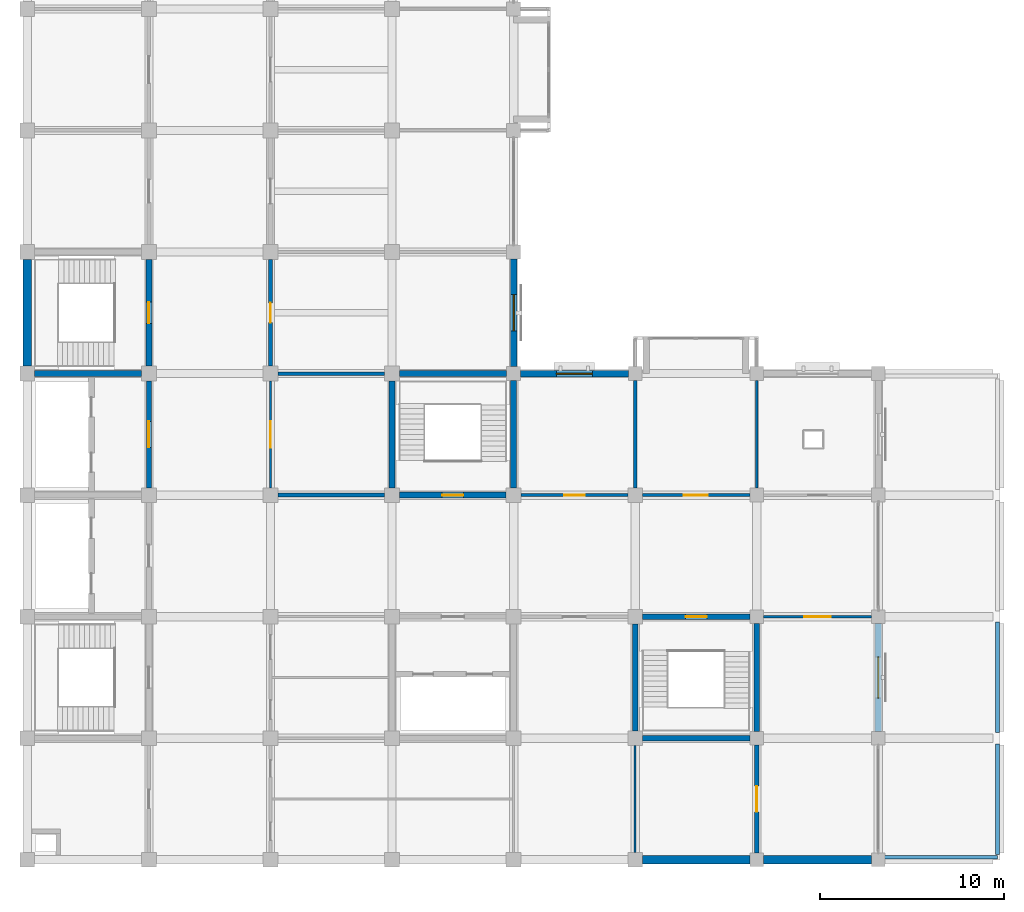
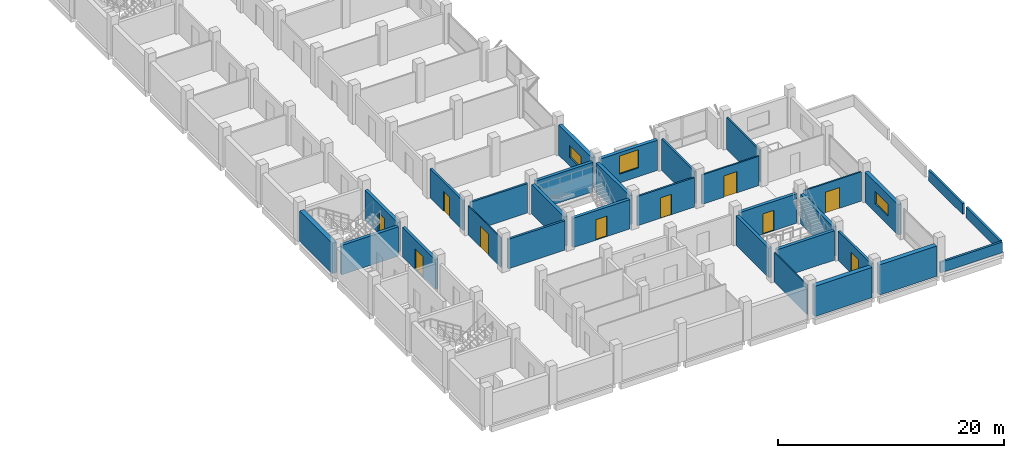
# One storey, part 9 of 15: 31 walls, 10 doors, 3 windows, 13 openings.
"""IFC4 building model written with IfcOpenShell, lengths in metres."""

from ifc_helpers import new_model, si_unit, direction, frame, frame_2d, origin, place, context, subcontext, project, spatial, rectangle, extrude, material, layer, layer_set, type_object, element, fill, save


model = new_model("IFC4")

# Units and contexts
model_context = context("Model", 3, precision=1e-05, world=origin(), true_north=direction((0.0, 1.0)))
body_context = subcontext(model_context, "Body", "Model", "MODEL_VIEW")
ifc_project = project(units=[si_unit("LENGTHUNIT", "METRE"), si_unit("AREAUNIT", "SQUARE_METRE"), si_unit("VOLUMEUNIT", "CUBIC_METRE"), si_unit("PLANEANGLEUNIT", "RADIAN"), si_unit("MASSUNIT", "GRAM", prefix="KILO")], contexts=[model_context])

# Site, building, storey
site_placement = place(None, origin())
site = spatial("IfcSite", under=ifc_project, at=site_placement, CompositionType="ELEMENT")
building_placement = place(site_placement, origin())
building = spatial("IfcBuilding", under=site, at=building_placement, Name="Rusizi Kubbe Research Institute", CompositionType="ELEMENT")
storey_placement = place(building_placement, frame((0.0, 0.0, 27.0)))
storey = spatial("IfcBuildingStorey", under=building, at=storey_placement, Name="L06", CompositionType="ELEMENT", Elevation=27.0)

# Wall
ifc_material_1 = material(Name="Concrete C45/55", Category="concrete")
ifc_layer_1 = layer(ifc_material_1, 0.31494140625)
ifc_layer_set_1 = layer_set([ifc_layer_1], Name="Concrete C45/55")
wall_type_1 = type_object("IfcWallType", Name="CRW-02", PredefinedType="SHEAR", material=ifc_layer_set_1)
wall_1_placement = place(storey_placement, frame((0.39990234375, 26.39990234375, 0.0), z_axis=(0.0, 0.0, 1.0), x_axis=(1.0, 0.0, 0.0)))
element("IfcWall", 1, at=wall_1_placement, inside=storey, type_object=wall_type_1, Name="Stair Core Shear Wall ST2 L06 S", PredefinedType="SHEAR", context=body_context, shape_type="SweptSolid", body=[
    extrude(rectangle(XDim=5.800048828125, YDim=0.31494140625, at=frame_2d((2.89990234375, 0.0))), origin(), (0.0, 0.0, 1.0), 3.169921875),
])

# Wall, opening, door
wall_2_placement = place(storey_placement, frame((6.60009765625, 26.800048828125, 0.0), z_axis=(0.0, 0.0, 1.0), x_axis=(0.0, 1.0, 0.0)))
wall_2 = element("IfcWall", 2, at=wall_2_placement, inside=storey, type_object=wall_type_1, Name="Stair Core Shear Wall ST2 L06 E", PredefinedType="SHEAR", context=body_context, shape_type="SweptSolid", body=[
    extrude(rectangle(XDim=5.800048828125, YDim=0.31494140625, at=frame_2d((2.89990234375, 0.0))), origin(), (0.0, 0.0, 1.0), 3.169921875),
])
opening_1_placement = place(wall_2_placement, frame((2.324951171875, 0.0, 0.0)))
opening_1 = element("IfcOpeningElement", 3, at=opening_1_placement, cuts=wall_2, Name="Opening D-02", PredefinedType="OPENING", context=body_context, shape_type="SweptSolid", body=[
    extrude(rectangle(XDim=1.14990234375, YDim=2.199951171875, at=frame_2d((0.574951171875, 1.10009765625))), frame((0.0, 0.16748046875, 0.0), z_axis=(0.0, -1.0, 0.0), x_axis=(1.0, 0.0, 0.0)), (0.0, 0.0, 1.0), 0.3349609375),
])
ifc_material_2 = material(Name="Fire-Rated Steel Frame and Acoustic Timber Leaf", Category="wood")
door_type_1 = type_object("IfcDoorType", Name="ID-STAIR-115", OperationType="NOTDEFINED", PredefinedType="DOOR", material=ifc_material_2)
door_1_placement = place(opening_1_placement, origin())
door_1 = element("IfcDoor", 4, at=door_1_placement, inside=storey, type_object=door_type_1, Name="Exit Stair Door ST2 L06", OperationType="SINGLE_SWING_RIGHT", OverallHeight=2.199951171875, OverallWidth=1.14990234375, PredefinedType="DOOR", context=body_context, shape_type="SweptSolid", body=[
    extrude(rectangle(XDim=1.14990234375, YDim=2.199951171875, at=frame_2d((0.574951171875, 1.10009765625))), frame((0.0, 0.02490234375, 0.0), z_axis=(0.0, -1.0, 0.0), x_axis=(1.0, 0.0, 0.0)), (0.0, 0.0, 1.0), 0.050048828125),
])
fill(opening_1, door_1)

wall_3_placement = place(storey_placement, frame((20.199951171875, 19.800048828125, 0.0), z_axis=(0.0, 0.0, 1.0), x_axis=(1.0, 0.0, 0.0)))
wall_3 = element("IfcWall", 5, at=wall_3_placement, inside=storey, type_object=wall_type_1, Name="Stair Core Shear Wall ST3 L06 S", PredefinedType="SHEAR", context=body_context, shape_type="SweptSolid", body=[
    extrude(rectangle(XDim=5.800048828125, YDim=0.31494140625, at=frame_2d((2.89990234375, 0.0))), origin(), (0.0, 0.0, 1.0), 3.169921875),
])
opening_2_placement = place(wall_3_placement, frame((2.324951171875, 0.0, 0.0)))
opening_2 = element("IfcOpeningElement", 6, at=opening_2_placement, cuts=wall_3, Name="Opening D-02", PredefinedType="OPENING", context=body_context, shape_type="SweptSolid", body=[
    extrude(rectangle(XDim=1.14990234375, YDim=2.199951171875, at=frame_2d((0.574951171875, 1.10009765625))), frame((0.0, 0.16748046875, 0.0), z_axis=(0.0, -1.0, 0.0), x_axis=(1.0, 0.0, 0.0)), (0.0, 0.0, 1.0), 0.3349609375),
])
door_2_placement = place(opening_2_placement, origin())
door_2 = element("IfcDoor", 7, at=door_2_placement, inside=storey, type_object=door_type_1, Name="Exit Stair Door ST3 L06", OperationType="SINGLE_SWING_RIGHT", OverallHeight=2.199951171875, OverallWidth=1.14990234375, PredefinedType="DOOR", context=body_context, shape_type="SweptSolid", body=[
    extrude(rectangle(XDim=1.14990234375, YDim=2.199951171875, at=frame_2d((0.574951171875, 1.10009765625))), frame((0.0, 0.02490234375, 0.0), z_axis=(0.0, -1.0, 0.0), x_axis=(1.0, 0.0, 0.0)), (0.0, 0.0, 1.0), 0.050048828125),
])
fill(opening_2, door_2)

# Walls
wall_4_placement = place(storey_placement, frame((20.199951171875, 26.39990234375, 0.0), z_axis=(0.0, 0.0, 1.0), x_axis=(1.0, 0.0, 0.0)))
element("IfcWall", 8, at=wall_4_placement, inside=storey, type_object=wall_type_1, Name="Stair Core Shear Wall ST3 L06 N", PredefinedType="SHEAR", context=body_context, shape_type="SweptSolid", body=[
    extrude(rectangle(XDim=5.824951171875, YDim=0.31494140625, at=frame_2d((2.91259765625, 0.0))), origin(), (0.0, 0.0, 1.0), 3.169921875),
])
wall_5_placement = place(storey_placement, frame((19.800048828125, 20.199951171875, 0.0), z_axis=(0.0, 0.0, 1.0), x_axis=(0.0, 1.0, 0.0)))
element("IfcWall", 9, at=wall_5_placement, inside=storey, type_object=wall_type_1, Name="Stair Core Shear Wall ST3 L06 W", PredefinedType="SHEAR", context=body_context, shape_type="SweptSolid", body=[
    extrude(rectangle(XDim=5.800048828125, YDim=0.31494140625, at=frame_2d((2.89990234375, 0.0))), origin(), (0.0, 0.0, 1.0), 3.169921875),
])
wall_6_placement = place(storey_placement, frame((26.39990234375, 20.199951171875, 0.0), z_axis=(0.0, 0.0, 1.0), x_axis=(0.0, 1.0, 0.0)))
element("IfcWall", 10, at=wall_6_placement, inside=storey, type_object=wall_type_1, Name="Stair Core Shear Wall ST3 L06 E", PredefinedType="SHEAR", context=body_context, shape_type="SweptSolid", body=[
    extrude(rectangle(XDim=5.824951171875, YDim=0.31494140625, at=frame_2d((2.91259765625, 0.0))), origin(), (0.0, 0.0, 1.0), 3.169921875),
])
wall_7_placement = place(storey_placement, frame((33.39990234375, 6.60009765625, 0.0), z_axis=(0.0, 0.0, 1.0), x_axis=(1.0, 0.0, 0.0)))
element("IfcWall", 11, at=wall_7_placement, inside=storey, type_object=wall_type_1, Name="Stair Core Shear Wall ST4 L06 S", PredefinedType="SHEAR", context=body_context, shape_type="SweptSolid", body=[
    extrude(rectangle(XDim=5.8251953125, YDim=0.31494140625, at=frame_2d((2.91259765625, 0.0))), origin(), (0.0, 0.0, 1.0), 3.169921875),
])

# Wall, opening, door
wall_8_placement = place(storey_placement, frame((33.39990234375, 13.199951171875, 0.0), z_axis=(0.0, 0.0, 1.0), x_axis=(1.0, 0.0, 0.0)))
wall_8 = element("IfcWall", 12, at=wall_8_placement, inside=storey, type_object=wall_type_1, Name="Stair Core Shear Wall ST4 L06 N", PredefinedType="SHEAR", context=body_context, shape_type="SweptSolid", body=[
    extrude(rectangle(XDim=5.8251953125, YDim=0.31494140625, at=frame_2d((2.91259765625, 0.0))), origin(), (0.0, 0.0, 1.0), 3.169921875),
])
opening_3_placement = place(wall_8_placement, frame((2.33740234375, 0.0, 0.0)))
opening_3 = element("IfcOpeningElement", 13, at=opening_3_placement, cuts=wall_8, Name="Opening D-02", PredefinedType="OPENING", context=body_context, shape_type="SweptSolid", body=[
    extrude(rectangle(XDim=1.14990234375, YDim=2.199951171875, at=frame_2d((0.574951171875, 1.10009765625))), frame((0.0, 0.16748046875, 0.0), z_axis=(0.0, -1.0, 0.0), x_axis=(1.0, 0.0, 0.0)), (0.0, 0.0, 1.0), 0.3349609375),
])
door_3_placement = place(opening_3_placement, origin())
door_3 = element("IfcDoor", 14, at=door_3_placement, inside=storey, type_object=door_type_1, Name="Exit Stair Door ST4 L06", OperationType="SINGLE_SWING_RIGHT", OverallHeight=2.199951171875, OverallWidth=1.14990234375, PredefinedType="DOOR", context=body_context, shape_type="SweptSolid", body=[
    extrude(rectangle(XDim=1.14990234375, YDim=2.199951171875, at=frame_2d((0.574951171875, 1.10009765625))), frame((0.0, 0.02490234375, 0.0), z_axis=(0.0, -1.0, 0.0), x_axis=(1.0, 0.0, 0.0)), (0.0, 0.0, 1.0), 0.050048828125),
])
fill(opening_3, door_3)

# Walls
wall_9_placement = place(storey_placement, frame((33.0, 7.0, 0.0), z_axis=(0.0, 0.0, 1.0), x_axis=(0.0, 1.0, 0.0)))
element("IfcWall", 15, at=wall_9_placement, inside=storey, type_object=wall_type_1, Name="Stair Core Shear Wall ST4 L06 W", PredefinedType="SHEAR", context=body_context, shape_type="SweptSolid", body=[
    extrude(rectangle(XDim=5.800048828125, YDim=0.31494140625, at=frame_2d((2.89990234375, 0.0))), origin(), (0.0, 0.0, 1.0), 3.169921875),
])
wall_10_placement = place(storey_placement, frame((39.60009765625, 6.97509765625, 0.0), z_axis=(0.0, 0.0, 1.0), x_axis=(0.0, 1.0, 0.0)))
element("IfcWall", 16, at=wall_10_placement, inside=storey, type_object=wall_type_1, Name="Stair Core Shear Wall ST4 L06 E", PredefinedType="SHEAR", context=body_context, shape_type="SweptSolid", body=[
    extrude(rectangle(XDim=5.849853515625, YDim=0.31494140625, at=frame_2d((2.9248046875, 0.0))), origin(), (0.0, 0.0, 1.0), 3.169921875),
])

# Wall, opening, window
ifc_material_3 = material(Name="Volcanic Basalt Ashlar Masonry", Category="masonry")
ifc_layer_2 = layer(ifc_material_3, 0.35498046875)
ifc_layer_set_2 = layer_set([ifc_layer_2], Name="Volcanic Basalt Ashlar Masonry")
wall_type_2 = type_object("IfcWallType", Name="EW-06", PredefinedType="SOLIDWALL", material=ifc_layer_set_2)
wall_11_placement = place(storey_placement, frame((26.39990234375, 26.77490234375, 0.0), z_axis=(0.0, 0.0, 1.0), x_axis=(0.0, 1.0, 0.0)))
wall_11 = element("IfcWall", 17, at=wall_11_placement, inside=storey, type_object=wall_type_2, Name="Ablaq Stone Exterior Wall L06 V4-4", PredefinedType="SOLIDWALL", context=body_context, shape_type="SweptSolid", body=[
    extrude(rectangle(XDim=5.85009765625, YDim=0.35498046875, at=frame_2d((2.925048828125, 0.0))), origin(), (0.0, 0.0, 1.0), 3.27001953125),
])
opening_4_placement = place(wall_11_placement, frame((1.945068359375, 0.0, 0.949951171875)))
opening_4 = element("IfcOpeningElement", 18, at=opening_4_placement, cuts=wall_11, Name="Opening WN-25", PredefinedType="OPENING", context=body_context, shape_type="SweptSolid", body=[
    extrude(rectangle(XDim=1.9599609375, YDim=1.300048828125, at=frame_2d((0.97998046875, 0.64990234375))), frame((0.0, 0.1875, 0.0), z_axis=(0.0, -1.0, 0.0), x_axis=(1.0, 0.0, 0.0)), (0.0, 0.0, 1.0), 0.375),
])
ifc_material_4 = material(Name="Aluminium Frame and Solar-Control Double Glazing", Category="glass")
window_type_1 = type_object("IfcWindowType", Name="WN-25", PartitioningType="DOUBLE_PANEL_VERTICAL", PredefinedType="WINDOW", material=ifc_material_4)
window_1_placement = place(opening_4_placement, origin())
window_1 = element("IfcWindow", 19, at=window_1_placement, inside=storey, type_object=window_type_1, Name="Casement Window WN-25 L06", OverallHeight=1.300048828125, OverallWidth=1.9599609375, PartitioningType="DOUBLE_PANEL_VERTICAL", PredefinedType="WINDOW", context=body_context, shape_type="SweptSolid", body=[
    extrude(rectangle(XDim=1.9599609375, YDim=1.300048828125, at=frame_2d((0.97998046875, 0.64990234375))), frame((0.0, 0.030029296875, 0.0), z_axis=(0.0, -1.0, 0.0), x_axis=(1.0, 0.0, 0.0)), (0.0, 0.0, 1.0), 0.06005859375),
])
fill(opening_4, window_1)

wall_12_placement = place(storey_placement, frame((26.77490234375, 26.39990234375, 0.0), z_axis=(0.0, 0.0, 1.0), x_axis=(1.0, 0.0, 0.0)))
wall_12 = element("IfcWall", 20, at=wall_12_placement, inside=storey, type_object=wall_type_2, Name="Ablaq Stone Exterior Wall L06 H4-4", PredefinedType="SOLIDWALL", context=body_context, shape_type="SweptSolid", body=[
    extrude(rectangle(XDim=5.85009765625, YDim=0.35498046875, at=frame_2d((2.925048828125, 0.0))), origin(), (0.0, 0.0, 1.0), 3.27001953125),
])
opening_5_placement = place(wall_12_placement, frame((1.945068359375, 0.0, 0.949951171875)))
opening_5 = element("IfcOpeningElement", 21, at=opening_5_placement, cuts=wall_12, Name="Opening WN-28", PredefinedType="OPENING", context=body_context, shape_type="SweptSolid", body=[
    extrude(rectangle(XDim=1.9599609375, YDim=1.9599609375, at=frame_2d((0.97998046875, 0.97998046875))), frame((0.0, 0.1875, 0.0), z_axis=(0.0, -1.0, 0.0), x_axis=(1.0, 0.0, 0.0)), (0.0, 0.0, 1.0), 0.375),
])
ifc_material_5 = material(Name="Aluminium Frame and Solar-Control Double Glazing", Category="glass")
window_type_2 = type_object("IfcWindowType", Name="WN-28", PartitioningType="DOUBLE_PANEL_VERTICAL", PredefinedType="WINDOW", material=ifc_material_5)
window_2_placement = place(opening_5_placement, origin())
window_2 = element("IfcWindow", 22, at=window_2_placement, inside=storey, type_object=window_type_2, Name="Casement Window WN-28 L06", OverallHeight=1.9599609375, OverallWidth=1.9599609375, PartitioningType="DOUBLE_PANEL_VERTICAL", PredefinedType="WINDOW", context=body_context, shape_type="SweptSolid", body=[
    extrude(rectangle(XDim=1.9599609375, YDim=1.9599609375, at=frame_2d((0.97998046875, 0.97998046875))), frame((0.0, 0.030029296875, 0.0), z_axis=(0.0, -1.0, 0.0), x_axis=(1.0, 0.0, 0.0)), (0.0, 0.0, 1.0), 0.06005859375),
])
fill(opening_5, window_2)

wall_13_placement = place(storey_placement, frame((46.199951171875, 6.97509765625, 0.0), z_axis=(0.0, 0.0, 1.0), x_axis=(0.0, 1.0, 0.0)))
wall_13 = element("IfcWall", 23, at=wall_13_placement, inside=storey, type_object=wall_type_2, Name="Ablaq Stone Exterior Wall L06 V7-1", PredefinedType="SOLIDWALL", context=body_context, shape_type="SweptSolid", body=[
    extrude(rectangle(XDim=5.849853515625, YDim=0.35498046875, at=frame_2d((2.9248046875, 0.0))), origin(), (0.0, 0.0, 1.0), 3.27001953125),
])
opening_6_placement = place(wall_13_placement, frame((1.804931640625, 0.0, 0.949951171875)))
opening_6 = element("IfcOpeningElement", 24, at=opening_6_placement, cuts=wall_13, Name="Opening WN-29", PredefinedType="OPENING", context=body_context, shape_type="SweptSolid", body=[
    extrude(rectangle(XDim=2.239990234375, YDim=1.300048828125, at=frame_2d((1.1201171875, 0.64990234375))), frame((0.0, 0.1875, 0.0), z_axis=(0.0, -1.0, 0.0), x_axis=(1.0, 0.0, 0.0)), (0.0, 0.0, 1.0), 0.375),
])
ifc_material_6 = material(Name="Aluminium Frame and Solar-Control Double Glazing", Category="glass")
window_type_3 = type_object("IfcWindowType", Name="WN-29", PartitioningType="DOUBLE_PANEL_VERTICAL", PredefinedType="WINDOW", material=ifc_material_6)
window_3_placement = place(opening_6_placement, origin())
window_3 = element("IfcWindow", 25, at=window_3_placement, inside=storey, type_object=window_type_3, Name="Casement Window WN-29 L06", OverallHeight=1.300048828125, OverallWidth=2.239990234375, PartitioningType="DOUBLE_PANEL_VERTICAL", PredefinedType="WINDOW", context=body_context, shape_type="SweptSolid", body=[
    extrude(rectangle(XDim=2.239990234375, YDim=1.300048828125, at=frame_2d((1.1201171875, 0.64990234375))), frame((0.0, 0.030029296875, 0.0), z_axis=(0.0, -1.0, 0.0), x_axis=(1.0, 0.0, 0.0)), (0.0, 0.0, 1.0), 0.06005859375),
])
fill(opening_6, window_3)

# Wall, opening, door
ifc_material_7 = material(Name="Concrete Blockwork Fire Partition", Category="masonry")
ifc_layer_3 = layer(ifc_material_7, 0.22509765625)
ifc_layer_set_3 = layer_set([ifc_layer_3], Name="Concrete Blockwork Fire Partition")
wall_type_3 = type_object("IfcWallType", Name="IW-01", PredefinedType="PARTITIONING", material=ifc_layer_set_3)
wall_14_placement = place(storey_placement, frame((13.199951171875, 26.800048828125, 0.0), z_axis=(0.0, 0.0, 1.0), x_axis=(0.0, 1.0, 0.0)))
wall_14 = element("IfcWall", 26, at=wall_14_placement, inside=storey, type_object=wall_type_3, Name="Interior Partition Wall L06 V2-4", PredefinedType="PARTITIONING", context=body_context, shape_type="SweptSolid", body=[
    extrude(rectangle(XDim=5.800048828125, YDim=0.22509765625, at=frame_2d((2.89990234375, 0.0))), origin(), (0.0, 0.0, 1.0), 3.169921875),
])
opening_7_placement = place(wall_14_placement, frame((2.360107421875, 0.0, 0.0)))
opening_7 = element("IfcOpeningElement", 27, at=opening_7_placement, cuts=wall_14, Name="Opening D-17", PredefinedType="OPENING", context=body_context, shape_type="SweptSolid", body=[
    extrude(rectangle(XDim=1.080078125, YDim=2.14990234375, at=frame_2d((0.5400390625, 1.074951171875))), frame((0.0, 0.12255859375, 0.0), z_axis=(0.0, -1.0, 0.0), x_axis=(1.0, 0.0, 0.0)), (0.0, 0.0, 1.0), 0.2451171875),
])
ifc_material_8 = material(Name="Fire-Rated Steel Frame and Acoustic Timber Leaf", Category="wood")
door_type_2 = type_object("IfcDoorType", Name="ID-OFF-108", OperationType="NOTDEFINED", PredefinedType="DOOR", material=ifc_material_8)
door_4_placement = place(opening_7_placement, origin())
door_4 = element("IfcDoor", 28, at=door_4_placement, inside=storey, type_object=door_type_2, Name="Door to Write-up Office (L06-NW-02)", OperationType="SINGLE_SWING_RIGHT", OverallHeight=2.14990234375, OverallWidth=1.080078125, PredefinedType="DOOR", context=body_context, shape_type="SweptSolid", body=[
    extrude(rectangle(XDim=1.080078125, YDim=2.14990234375, at=frame_2d((0.5400390625, 1.074951171875))), frame((0.0, 0.02490234375, 0.0), z_axis=(0.0, -1.0, 0.0), x_axis=(1.0, 0.0, 0.0)), (0.0, 0.0, 1.0), 0.050048828125),
])
fill(opening_7, door_4)

# Wall
wall_15_placement = place(storey_placement, frame((13.60009765625, 19.800048828125, 0.0), z_axis=(0.0, 0.0, 1.0), x_axis=(1.0, 0.0, 0.0)))
element("IfcWall", 29, at=wall_15_placement, inside=storey, type_object=wall_type_3, Name="Interior Partition Wall L06 H2-3", PredefinedType="PARTITIONING", context=body_context, shape_type="SweptSolid", body=[
    extrude(rectangle(XDim=5.7998046875, YDim=0.22509765625, at=frame_2d((2.89990234375, 0.0))), origin(), (0.0, 0.0, 1.0), 3.169921875),
])

# Wall, opening, door
wall_16_placement = place(storey_placement, frame((39.60009765625, 0.375, 0.0), z_axis=(0.0, 0.0, 1.0), x_axis=(0.0, 1.0, 0.0)))
wall_16 = element("IfcWall", 30, at=wall_16_placement, inside=storey, type_object=wall_type_3, Name="Interior Partition Wall L06 V6-0", PredefinedType="PARTITIONING", context=body_context, shape_type="SweptSolid", body=[
    extrude(rectangle(XDim=5.85009765625, YDim=0.22509765625, at=frame_2d((2.925048828125, 0.0))), origin(), (0.0, 0.0, 1.0), 3.169921875),
])
opening_8_placement = place(wall_16_placement, frame((2.22509765625, 0.0, 0.0)))
opening_8 = element("IfcOpeningElement", 31, at=opening_8_placement, cuts=wall_16, Name="Opening D-12", PredefinedType="OPENING", context=body_context, shape_type="SweptSolid", body=[
    extrude(rectangle(XDim=1.39990234375, YDim=2.25, at=frame_2d((0.699951171875, 1.125))), frame((0.0, 0.12255859375, 0.0), z_axis=(0.0, -1.0, 0.0), x_axis=(1.0, 0.0, 0.0)), (0.0, 0.0, 1.0), 0.2451171875),
])
ifc_material_9 = material(Name="Fire-Rated Steel Frame and Acoustic Timber Leaf", Category="wood")
door_type_3 = type_object("IfcDoorType", Name="ID-LAB-140", OperationType="NOTDEFINED", PredefinedType="DOOR", material=ifc_material_9)
door_5_placement = place(opening_8_placement, origin())
door_5 = element("IfcDoor", 32, at=door_5_placement, inside=storey, type_object=door_type_3, Name="Door to Laboratory Instrument Support Room (L06-EWU-05)", OperationType="SINGLE_SWING_RIGHT", OverallHeight=2.25, OverallWidth=1.39990234375, PredefinedType="DOOR", context=body_context, shape_type="SweptSolid", body=[
    extrude(rectangle(XDim=1.39990234375, YDim=2.25, at=frame_2d((0.699951171875, 1.125))), frame((0.0, 0.02490234375, 0.0), z_axis=(0.0, -1.0, 0.0), x_axis=(1.0, 0.0, 0.0)), (0.0, 0.0, 1.0), 0.050048828125),
])
fill(opening_8, door_5)

# Wall
ifc_material_10 = material(Name="Insulated Cleanroom Partition", Category="masonry")
ifc_layer_4 = layer(ifc_material_10, 0.195068359375)
ifc_layer_set_4 = layer_set([ifc_layer_4], Name="Insulated Cleanroom Partition")
wall_type_4 = type_object("IfcWallType", Name="IW-02", PredefinedType="PARTITIONING", material=ifc_layer_set_4)
wall_17_placement = place(storey_placement, frame((13.60009765625, 26.39990234375, 0.0), z_axis=(0.0, 0.0, 1.0), x_axis=(1.0, 0.0, 0.0)))
element("IfcWall", 33, at=wall_17_placement, inside=storey, type_object=wall_type_4, Name="Interior Partition Wall L06 H2-4", PredefinedType="PARTITIONING", context=body_context, shape_type="SweptSolid", body=[
    extrude(rectangle(XDim=5.7998046875, YDim=0.195068359375, at=frame_2d((2.89990234375, 0.0))), origin(), (0.0, 0.0, 1.0), 3.169921875),
])

# Wall, opening, door
ifc_material_11 = material(Name="Acoustic Laboratory Partition", Category="masonry")
ifc_layer_5 = layer(ifc_material_11, 0.175048828125)
ifc_layer_set_5 = layer_set([ifc_layer_5], Name="Acoustic Laboratory Partition")
wall_type_5 = type_object("IfcWallType", Name="IW-03", PredefinedType="PARTITIONING", material=ifc_layer_set_5)
wall_18_placement = place(storey_placement, frame((26.800048828125, 19.800048828125, 0.0), z_axis=(0.0, 0.0, 1.0), x_axis=(1.0, 0.0, 0.0)))
wall_18 = element("IfcWall", 34, at=wall_18_placement, inside=storey, type_object=wall_type_5, Name="Interior Partition Wall L06 H4-3", PredefinedType="PARTITIONING", context=body_context, shape_type="SweptSolid", body=[
    extrude(rectangle(XDim=5.800048828125, YDim=0.175048828125, at=frame_2d((2.89990234375, 0.0))), origin(), (0.0, 0.0, 1.0), 3.169921875),
])
opening_9_placement = place(wall_18_placement, frame((2.340087890625, 0.0, 0.0)))
opening_9 = element("IfcOpeningElement", 35, at=opening_9_placement, cuts=wall_18, Name="Opening D-18", PredefinedType="OPENING", context=body_context, shape_type="SweptSolid", body=[
    extrude(rectangle(XDim=1.1201171875, YDim=2.199951171875, at=frame_2d((0.56005859375, 1.10009765625))), frame((0.0, 0.097412109375, 0.0), z_axis=(0.0, -1.0, 0.0), x_axis=(1.0, 0.0, 0.0)), (0.0, 0.0, 1.0), 0.195068359375),
])
ifc_material_12 = material(Name="Fire-Rated Steel Frame and Acoustic Timber Leaf", Category="wood")
door_type_4 = type_object("IfcDoorType", Name="ID-OFF-112", OperationType="NOTDEFINED", PredefinedType="DOOR", material=ifc_material_12)
door_6_placement = place(opening_9_placement, origin())
door_6 = element("IfcDoor", 36, at=door_6_placement, inside=storey, type_object=door_type_4, Name="Door to Write-up Office (L06-EWN-01)", OperationType="SINGLE_SWING_LEFT", OverallHeight=2.199951171875, OverallWidth=1.1201171875, PredefinedType="DOOR", context=body_context, shape_type="SweptSolid", body=[
    extrude(rectangle(XDim=1.1201171875, YDim=2.199951171875, at=frame_2d((0.56005859375, 1.10009765625))), frame((0.0, 0.02490234375, 0.0), z_axis=(0.0, -1.0, 0.0), x_axis=(1.0, 0.0, 0.0)), (0.0, 0.0, 1.0), 0.050048828125),
])
fill(opening_9, door_6)

# Wall
wall_19_placement = place(storey_placement, frame((33.0, 20.199951171875, 0.0), z_axis=(0.0, 0.0, 1.0), x_axis=(0.0, 1.0, 0.0)))
element("IfcWall", 37, at=wall_19_placement, inside=storey, type_object=wall_type_5, Name="Interior Partition Wall L06 V5-3", PredefinedType="PARTITIONING", context=body_context, shape_type="SweptSolid", body=[
    extrude(rectangle(XDim=5.824951171875, YDim=0.175048828125, at=frame_2d((2.91259765625, 0.0))), origin(), (0.0, 0.0, 1.0), 3.419921875),
])

# Wall, opening, door
ifc_material_13 = material(Name="Fire-Rated Corridor Partition", Category="masonry")
ifc_layer_6 = layer(ifc_material_13, 0.155029296875)
ifc_layer_set_6 = layer_set([ifc_layer_6], Name="Fire-Rated Corridor Partition")
wall_type_6 = type_object("IfcWallType", Name="IW-04", PredefinedType="PARTITIONING", material=ifc_layer_set_6)
wall_20_placement = place(storey_placement, frame((33.39990234375, 19.800048828125, 0.0), z_axis=(0.0, 0.0, 1.0), x_axis=(1.0, 0.0, 0.0)))
wall_20 = element("IfcWall", 38, at=wall_20_placement, inside=storey, type_object=wall_type_6, Name="Interior Partition Wall L06 H5-3", PredefinedType="PARTITIONING", context=body_context, shape_type="SweptSolid", body=[
    extrude(rectangle(XDim=5.8251953125, YDim=0.155029296875, at=frame_2d((2.91259765625, 0.0))), origin(), (0.0, 0.0, 1.0), 3.169921875),
])
opening_10_placement = place(wall_20_placement, frame((2.25, 0.0, 0.0)))
opening_10 = element("IfcOpeningElement", 39, at=opening_10_placement, cuts=wall_20, Name="Opening D-14", PredefinedType="OPENING", context=body_context, shape_type="SweptSolid", body=[
    extrude(rectangle(XDim=1.300048828125, YDim=2.300048828125, at=frame_2d((0.64990234375, 1.14990234375))), frame((0.0, 0.08740234375, 0.0), z_axis=(0.0, -1.0, 0.0), x_axis=(1.0, 0.0, 0.0)), (0.0, 0.0, 1.0), 0.175048828125),
])
ifc_material_14 = material(Name="Fire-Rated Steel Frame and Acoustic Timber Leaf", Category="wood")
door_type_5 = type_object("IfcDoorType", Name="ID-LAB-130", OperationType="NOTDEFINED", PredefinedType="DOOR", material=ifc_material_14)
door_7_placement = place(opening_10_placement, origin())
door_7 = element("IfcDoor", 40, at=door_7_placement, inside=storey, type_object=door_type_5, Name="Door to Molecular Diagnostics Laboratory (L06-EWN-02)", OperationType="SINGLE_SWING_RIGHT", OverallHeight=2.300048828125, OverallWidth=1.300048828125, PredefinedType="DOOR", context=body_context, shape_type="SweptSolid", body=[
    extrude(rectangle(XDim=1.300048828125, YDim=2.300048828125, at=frame_2d((0.64990234375, 1.14990234375))), frame((0.0, 0.02490234375, 0.0), z_axis=(0.0, -1.0, 0.0), x_axis=(1.0, 0.0, 0.0)), (0.0, 0.0, 1.0), 0.050048828125),
])
fill(opening_10, door_7)

# Wall
wall_21_placement = place(storey_placement, frame((39.60009765625, 20.175048828125, 0.0), z_axis=(0.0, 0.0, 1.0), x_axis=(0.0, 1.0, 0.0)))
element("IfcWall", 41, at=wall_21_placement, inside=storey, type_object=wall_type_6, Name="Interior Partition Wall L06 V6-3", PredefinedType="PARTITIONING", context=body_context, shape_type="SweptSolid", body=[
    extrude(rectangle(XDim=5.849853515625, YDim=0.155029296875, at=frame_2d((2.9248046875, 0.0))), origin(), (0.0, 0.0, 1.0), 3.419921875),
])

# Wall, opening, door
wall_22_placement = place(storey_placement, frame((39.97509765625, 13.199951171875, 0.0), z_axis=(0.0, 0.0, 1.0), x_axis=(1.0, 0.0, 0.0)))
wall_22 = element("IfcWall", 42, at=wall_22_placement, inside=storey, type_object=wall_type_6, Name="Interior Partition Wall L06 H6-2", PredefinedType="PARTITIONING", context=body_context, shape_type="SweptSolid", body=[
    extrude(rectangle(XDim=5.849853515625, YDim=0.155029296875, at=frame_2d((2.9248046875, 0.0))), origin(), (0.0, 0.0, 1.0), 3.169921875),
])
opening_11_placement = place(wall_22_placement, frame((2.199951171875, 0.0, 0.0)))
opening_11 = element("IfcOpeningElement", 43, at=opening_11_placement, cuts=wall_22, Name="Opening D-11", PredefinedType="OPENING", context=body_context, shape_type="SweptSolid", body=[
    extrude(rectangle(XDim=1.449951171875, YDim=2.25, at=frame_2d((0.72509765625, 1.125))), frame((0.0, 0.08740234375, 0.0), z_axis=(0.0, -1.0, 0.0), x_axis=(1.0, 0.0, 0.0)), (0.0, 0.0, 1.0), 0.175048828125),
])
ifc_material_15 = material(Name="Fire-Rated Steel Frame and Acoustic Timber Leaf", Category="wood")
door_type_6 = type_object("IfcDoorType", Name="ID-LAB-145", OperationType="NOTDEFINED", PredefinedType="DOOR", material=ifc_material_15)
door_8_placement = place(opening_11_placement, origin())
door_8 = element("IfcDoor", 44, at=door_8_placement, inside=storey, type_object=door_type_6, Name="Door to Clean Room Process Suite (L06-EWS-02)", OperationType="SINGLE_SWING_LEFT", OverallHeight=2.25, OverallWidth=1.449951171875, PredefinedType="DOOR", context=body_context, shape_type="SweptSolid", body=[
    extrude(rectangle(XDim=1.449951171875, YDim=2.25, at=frame_2d((0.72509765625, 1.125))), frame((0.0, 0.02490234375, 0.0), z_axis=(0.0, -1.0, 0.0), x_axis=(1.0, 0.0, 0.0)), (0.0, 0.0, 1.0), 0.050048828125),
])
fill(opening_11, door_8)

ifc_material_16 = material(Name="Sub-Suite Fire Partition", Category="masonry")
ifc_layer_7 = layer(ifc_material_16, 0.110107421875)
ifc_layer_set_7 = layer_set([ifc_layer_7], Name="Sub-Suite Fire Partition")
wall_type_7 = type_object("IfcWallType", Name="IW-07", PredefinedType="PARTITIONING", material=ifc_layer_set_7)
wall_23_placement = place(storey_placement, frame((13.199951171875, 20.199951171875, 0.0), z_axis=(0.0, 0.0, 1.0), x_axis=(0.0, 1.0, 0.0)))
wall_23 = element("IfcWall", 45, at=wall_23_placement, inside=storey, type_object=wall_type_7, Name="Interior Partition Wall L06 V2-3", PredefinedType="PARTITIONING", context=body_context, shape_type="SweptSolid", body=[
    extrude(rectangle(XDim=5.800048828125, YDim=0.110107421875, at=frame_2d((2.89990234375, 0.0))), origin(), (0.0, 0.0, 1.0), 3.169921875),
])
opening_12_placement = place(wall_23_placement, frame((2.175048828125, 0.0, 0.0)))
opening_12 = element("IfcOpeningElement", 46, at=opening_12_placement, cuts=wall_23, Name="Opening D-11", PredefinedType="OPENING", context=body_context, shape_type="SweptSolid", body=[
    extrude(rectangle(XDim=1.449951171875, YDim=2.25, at=frame_2d((0.72509765625, 1.125))), frame((0.0, 0.06494140625, 0.0), z_axis=(0.0, -1.0, 0.0), x_axis=(1.0, 0.0, 0.0)), (0.0, 0.0, 1.0), 0.130126953125),
])
door_9_placement = place(opening_12_placement, origin())
door_9 = element("IfcDoor", 47, at=door_9_placement, inside=storey, type_object=door_type_6, Name="Door to Computational Dry Laboratory (L06-NW-01)", OperationType="SINGLE_SWING_LEFT", OverallHeight=2.25, OverallWidth=1.449951171875, PredefinedType="DOOR", context=body_context, shape_type="SweptSolid", body=[
    extrude(rectangle(XDim=1.449951171875, YDim=2.25, at=frame_2d((0.72509765625, 1.125))), frame((0.0, 0.02490234375, 0.0), z_axis=(0.0, -1.0, 0.0), x_axis=(1.0, 0.0, 0.0)), (0.0, 0.0, 1.0), 0.050048828125),
])
fill(opening_12, door_9)

# Walls
wall_24_placement = place(storey_placement, frame((33.0, 0.39990234375, 0.0), z_axis=(0.0, 0.0, 1.0), x_axis=(0.0, 1.0, 0.0)))
element("IfcWall", 48, at=wall_24_placement, inside=storey, type_object=wall_type_7, Name="Interior Partition Wall L06 V5-0", PredefinedType="PARTITIONING", context=body_context, shape_type="SweptSolid", body=[
    extrude(rectangle(XDim=5.800048828125, YDim=0.110107421875, at=frame_2d((2.89990234375, 0.0))), origin(), (0.0, 0.0, 1.0), 3.169921875),
])
ifc_material_17 = material(Name="Volcanic Basalt Ashlar Masonry", Category="masonry")
ifc_layer_8 = layer(ifc_material_17, 0.215087890625)
ifc_layer_set_8 = layer_set([ifc_layer_8], Name="Volcanic Basalt Ashlar Masonry")
wall_type_8 = type_object("IfcWallType", Name="PRP-02", PredefinedType="PARAPET", material=ifc_layer_set_8)
wall_25_placement = place(storey_placement, frame((46.340087890625, 0.139892578125, 0.0), z_axis=(0.0, 0.0, 1.0), x_axis=(1.0, 0.0, 0.0)))
element("IfcWall", 49, at=wall_25_placement, inside=storey, type_object=wall_type_8, Name="Roof Parapet Wall L06-007", PredefinedType="PARAPET", context=body_context, shape_type="SweptSolid", body=[
    extrude(rectangle(XDim=6.31982421875, YDim=0.215087890625, at=frame_2d((3.159912109375, 0.0))), origin(), (0.0, 0.0, 1.0), 1.14990234375),
])
for number, where, z_axis, x_axis, name in (
    (50, (52.659912109375, 0.300048828125, 0.0), (0.0, 0.0, 1.0), (0.0, 1.0, 0.0), "Roof Parapet Wall L06-008"),
    (51, (52.659912109375, 6.89990234375, 0.0), (0.0, 0.0, 1.0), (0.0, 1.0, 0.0), "Roof Parapet Wall L06-009"),
):
    element("IfcWall", number, at=place(storey_placement, frame(where, z_axis=z_axis, x_axis=x_axis)), inside=storey, type_object=wall_type_8, Name=name, PredefinedType="PARAPET", context=body_context, shape_type="SweptSolid", body=[
        extrude(rectangle(XDim=6.0, YDim=0.215087890625, at=frame_2d((3.0, 0.0))), origin(), (0.0, 0.0, 1.0), 1.14990234375),
    ])
ifc_material_18 = material(Name="Concrete C40/50", Category="concrete")
ifc_layer_9 = layer(ifc_material_18, 0.4599609375)
ifc_layer_set_9 = layer_set([ifc_layer_9], Name="Concrete C40/50")
wall_type_9 = type_object("IfcWallType", Name="PW-02", PredefinedType="SOLIDWALL", material=ifc_layer_set_9)
wall_26_placement = place(storey_placement, frame((0.0, 26.800048828125, 0.0), z_axis=(0.0, 0.0, 1.0), x_axis=(0.0, 1.0, 0.0)))
element("IfcWall", 52, at=wall_26_placement, inside=storey, type_object=wall_type_9, Name="Blind Party Wall L06 V0-4", PredefinedType="SOLIDWALL", context=body_context, shape_type="SweptSolid", body=[
    extrude(rectangle(XDim=5.800048828125, YDim=0.4599609375, at=frame_2d((2.89990234375, 0.0))), origin(), (0.0, 0.0, 1.0), 3.27001953125),
])
wall_27_placement = place(storey_placement, frame((33.39990234375, 0.0, 0.0), z_axis=(0.0, 0.0, 1.0), x_axis=(1.0, 0.0, 0.0)))
element("IfcWall", 53, at=wall_27_placement, inside=storey, type_object=wall_type_9, Name="Blind Party Wall L06 H5-0", PredefinedType="SOLIDWALL", context=body_context, shape_type="SweptSolid", body=[
    extrude(rectangle(XDim=5.8251953125, YDim=0.4599609375, at=frame_2d((2.91259765625, 0.0))), origin(), (0.0, 0.0, 1.0), 3.27001953125),
])
wall_28_placement = place(storey_placement, frame((39.97509765625, 0.0, 0.0), z_axis=(0.0, 0.0, 1.0), x_axis=(1.0, 0.0, 0.0)))
element("IfcWall", 54, at=wall_28_placement, inside=storey, type_object=wall_type_9, Name="Blind Party Wall L06 H6-0", PredefinedType="SOLIDWALL", context=body_context, shape_type="SweptSolid", body=[
    extrude(rectangle(XDim=5.849853515625, YDim=0.4599609375, at=frame_2d((2.9248046875, 0.0))), origin(), (0.0, 0.0, 1.0), 3.27001953125),
])

# Wall, opening, door
ifc_material_19 = material(Name="Concrete C40/50", Category="concrete")
ifc_layer_10 = layer(ifc_material_19, 0.27490234375)
ifc_layer_set_10 = layer_set([ifc_layer_10], Name="Concrete C40/50")
wall_type_10 = type_object("IfcWallType", Name="SHW-01", PredefinedType="SHEAR", material=ifc_layer_set_10)
wall_29_placement = place(storey_placement, frame((6.60009765625, 20.199951171875, 0.0), z_axis=(0.0, 0.0, 1.0), x_axis=(0.0, 1.0, 0.0)))
wall_29 = element("IfcWall", 55, at=wall_29_placement, inside=storey, type_object=wall_type_10, Name="Passenger Lift Lobby Wall L06", PredefinedType="SHEAR", context=body_context, shape_type="SweptSolid", body=[
    extrude(rectangle(XDim=5.800048828125, YDim=0.27490234375, at=frame_2d((2.89990234375, 0.0))), origin(), (0.0, 0.0, 1.0), 3.169921875),
])
opening_13_placement = place(wall_29_placement, frame((2.18994140625, 0.0, 0.0)))
opening_13 = element("IfcOpeningElement", 56, at=opening_13_placement, cuts=wall_29, Name="Opening D-22", PredefinedType="OPENING", context=body_context, shape_type="SweptSolid", body=[
    extrude(rectangle(XDim=1.419921875, YDim=2.199951171875, at=frame_2d((0.7099609375, 1.10009765625))), frame((0.0, 0.1474609375, 0.0), z_axis=(0.0, -1.0, 0.0), x_axis=(1.0, 0.0, 0.0)), (0.0, 0.0, 1.0), 0.294921875),
])
ifc_material_20 = material(Name="Fire-Rated Steel Frame and Acoustic Timber Leaf", Category="wood")
door_type_7 = type_object("IfcDoorType", Name="ID-STR-142", OperationType="DOUBLE_DOOR_SINGLE_SWING", PredefinedType="DOOR", material=ifc_material_20)
door_10_placement = place(opening_13_placement, origin())
door_10 = element("IfcDoor", 57, at=door_10_placement, inside=storey, type_object=door_type_7, Name="Door to Passenger Lift Lobby (L06-LBY-01)", OperationType="DOUBLE_DOOR_SINGLE_SWING", OverallHeight=2.199951171875, OverallWidth=1.419921875, PredefinedType="DOOR", context=body_context, shape_type="SweptSolid", body=[
    extrude(rectangle(XDim=1.419921875, YDim=2.199951171875, at=frame_2d((0.7099609375, 1.10009765625))), frame((0.0, 0.02490234375, 0.0), z_axis=(0.0, -1.0, 0.0), x_axis=(1.0, 0.0, 0.0)), (0.0, 0.0, 1.0), 0.050048828125),
])
fill(opening_13, door_10)

save(model, "model.ifc")
